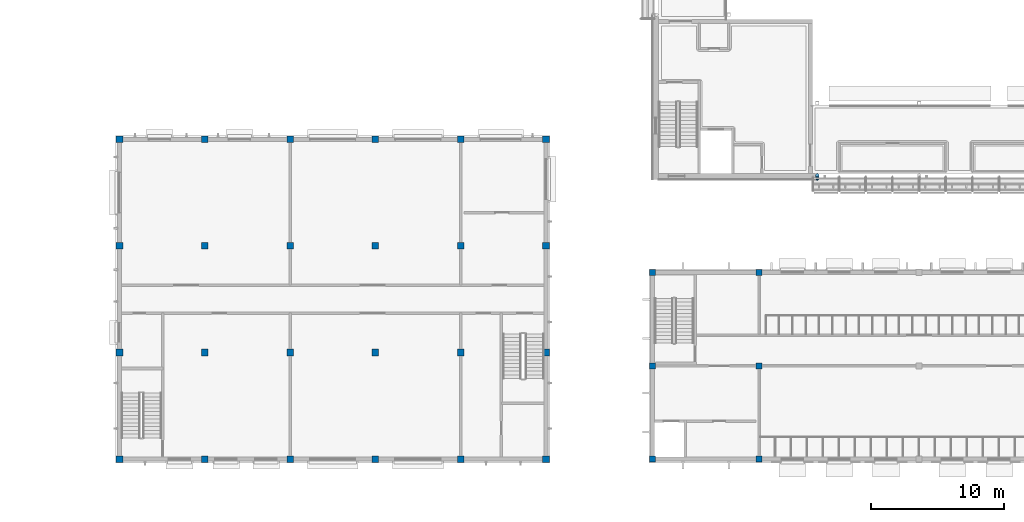
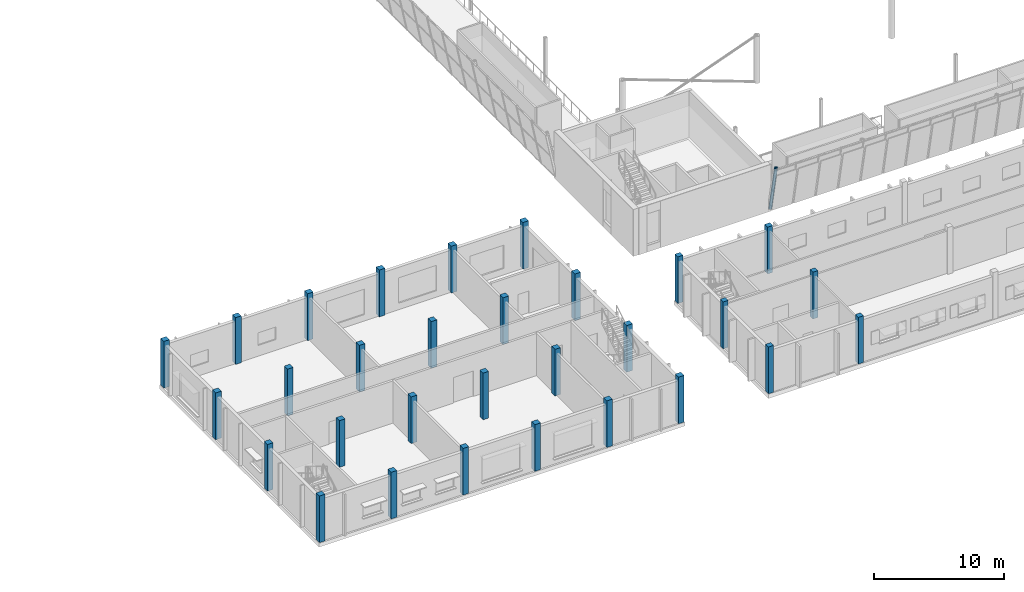
# One storey, part 1 of 115: 31 columns.
"""IFC4 building model written with IfcOpenShell, lengths in metres."""

from ifc_helpers import new_model, si_unit, direction, frame, origin, origin_2d, place, context, subcontext, project, spatial, rectangle, hollow_circle, extrude, material, material_profile, profile_set, type_object, element, save


model = new_model("IFC4")

# Units and contexts
model_context = context("Model", 3, precision=1e-05, world=origin(), true_north=direction((0.0, 1.0)))
body_context = subcontext(model_context, "Body", "Model", "MODEL_VIEW")
ifc_project = project(units=[si_unit("LENGTHUNIT", "METRE"), si_unit("AREAUNIT", "SQUARE_METRE"), si_unit("VOLUMEUNIT", "CUBIC_METRE"), si_unit("PLANEANGLEUNIT", "RADIAN"), si_unit("MASSUNIT", "GRAM", prefix="KILO")], contexts=[model_context])

# Site, building, storey
site_placement = place(None, origin())
site = spatial("IfcSite", under=ifc_project, at=site_placement, CompositionType="ELEMENT")
building_placement = place(site_placement, origin())
building = spatial("IfcBuilding", under=site, at=building_placement, Name="Windward Yard Aquatics Centre", CompositionType="ELEMENT")
storey_placement = place(building_placement, frame((0.0, 0.0, 5.0)))
storey = spatial("IfcBuildingStorey", under=building, at=storey_placement, Name="L01", CompositionType="ELEMENT", Elevation=5.0)

# Columns
ifc_material_1 = material(Name="Concrete C35/45", Category="concrete")
ifc_material_profile_1 = material_profile(ifc_material_1, rectangle(XDim=0.449951171875, YDim=0.449951171875, at=origin_2d()), Name="RC 450X450")
ifc_profile_set_1 = profile_set([ifc_material_profile_1], Name="Concrete C35/45")
column_type_1 = type_object("IfcColumnType", Name="C column RC 450X450", PredefinedType="COLUMN", material=ifc_profile_set_1)
for number, where, z_axis, x_axis, name in (
    (1, (52.0, 5.0, 0.0), (0.0, 0.0, 1.0), (1.0, 0.0, 0.0), "C.COL.L01.1.1"),
    (2, (52.0, 12.0, 0.0), (0.0, 0.0, 1.0), (1.0, 0.0, 0.0), "C.COL.L01.1.2"),
    (3, (52.0, 19.0, 0.0), (0.0, 0.0, 1.0), (1.0, 0.0, 0.0), "C.COL.L01.1.3"),
    (4, (60.0, 5.0, 0.0), (0.0, 0.0, 1.0), (1.0, 0.0, 0.0), "C.COL.L01.2.1"),
    (5, (60.0, 12.0, 0.0), (0.0, 0.0, 1.0), (1.0, 0.0, 0.0), "C.COL.L01.2.2"),
    (6, (60.0, 19.0, 0.0), (0.0, 0.0, 1.0), (1.0, 0.0, 0.0), "C.COL.L01.2.3"),
):
    element("IfcColumn", number, at=place(storey_placement, frame(where, z_axis=z_axis, x_axis=x_axis)), inside=storey, type_object=column_type_1, Name=name, PredefinedType="COLUMN", context=body_context, shape_type="SweptSolid", body=[
        extrude(rectangle(XDim=0.449951171875, YDim=0.449951171875, at=origin_2d()), origin(), (0.0, 0.0, 1.0), 4.39990234375),
    ])
ifc_material_2 = material(Name="Steel ASTM A500 Gr C", Category="steel")
ifc_material_profile_2 = material_profile(ifc_material_2, hollow_circle(Radius=0.136474609375, WallThickness=0.0126953125, at=origin_2d()), Name="HSS273.1X12.7")
ifc_profile_set_2 = profile_set([ifc_material_profile_2], Name="Steel ASTM A500 Gr C")
column_type_2 = type_object("IfcColumnType", Name="H tier 1 leg HSS273.1X12.7", PredefinedType="COLUMN", material=ifc_profile_set_2)
column_placement = place(storey_placement, frame((64.35009765625, 26.29443359375, 0.02734375), z_axis=(0.0, -0.19937683017, 0.979922894717), x_axis=(1.0, 0.0, 0.0)))
element("IfcColumn", 7, at=column_placement, inside=storey, type_object=column_type_2, Name="H.TL.S1.T1A.L01", PredefinedType="COLUMN", context=body_context, shape_type="SweptSolid", body=[
    extrude(hollow_circle(Radius=0.136474609375, WallThickness=0.0126953125, at=origin_2d()), origin(), (0.0, 0.0, 1.0), 4.462158203125),
])
ifc_material_profile_3 = material_profile(ifc_material_1, rectangle(XDim=0.5, YDim=0.5, at=origin_2d()), Name="RC 500X500")
ifc_profile_set_3 = profile_set([ifc_material_profile_3], Name="Concrete C35/45")
column_type_3 = type_object("IfcColumnType", Name="P column RC 500X500", PredefinedType="COLUMN", material=ifc_profile_set_3)
for number, where, z_axis, x_axis, name in (
    (8, (12.0, 5.0, 0.0), (0.0, 0.0, 1.0), (1.0, 0.0, 0.0), "P.COL.L01.1.1"),
    (9, (12.0, 13.0, 0.0), (0.0, 0.0, 1.0), (1.0, 0.0, 0.0), "P.COL.L01.1.2"),
    (10, (12.0, 21.0, 0.0), (0.0, 0.0, 1.0), (1.0, 0.0, 0.0), "P.COL.L01.1.3"),
    (11, (12.0, 29.0, 0.0), (0.0, 0.0, 1.0), (1.0, 0.0, 0.0), "P.COL.L01.1.4"),
    (12, (18.39990234375, 5.0, 0.0), (0.0, 0.0, 1.0), (1.0, 0.0, 0.0), "P.COL.L01.2.1"),
    (13, (18.39990234375, 13.0, 0.0), (0.0, 0.0, 1.0), (1.0, 0.0, 0.0), "P.COL.L01.2.2"),
    (14, (18.39990234375, 21.0, 0.0), (0.0, 0.0, 1.0), (1.0, 0.0, 0.0), "P.COL.L01.2.3"),
    (15, (18.39990234375, 29.0, 0.0), (0.0, 0.0, 1.0), (1.0, 0.0, 0.0), "P.COL.L01.2.4"),
    (16, (24.800048828125, 5.0, 0.0), (0.0, 0.0, 1.0), (1.0, 0.0, 0.0), "P.COL.L01.3.1"),
    (17, (24.800048828125, 13.0, 0.0), (0.0, 0.0, 1.0), (1.0, 0.0, 0.0), "P.COL.L01.3.2"),
    (18, (24.800048828125, 21.0, 0.0), (0.0, 0.0, 1.0), (1.0, 0.0, 0.0), "P.COL.L01.3.3"),
    (19, (24.800048828125, 29.0, 0.0), (0.0, 0.0, 1.0), (1.0, 0.0, 0.0), "P.COL.L01.3.4"),
    (20, (31.199951171875, 5.0, 0.0), (0.0, 0.0, 1.0), (1.0, 0.0, 0.0), "P.COL.L01.4.1"),
    (21, (31.199951171875, 13.0, 0.0), (0.0, 0.0, 1.0), (1.0, 0.0, 0.0), "P.COL.L01.4.2"),
    (22, (31.199951171875, 21.0, 0.0), (0.0, 0.0, 1.0), (1.0, 0.0, 0.0), "P.COL.L01.4.3"),
    (23, (31.199951171875, 29.0, 0.0), (0.0, 0.0, 1.0), (1.0, 0.0, 0.0), "P.COL.L01.4.4"),
    (24, (37.60009765625, 5.0, 0.0), (0.0, 0.0, 1.0), (1.0, 0.0, 0.0), "P.COL.L01.5.1"),
    (25, (37.60009765625, 13.0, 0.0), (0.0, 0.0, 1.0), (1.0, 0.0, 0.0), "P.COL.L01.5.2"),
    (26, (37.60009765625, 21.0, 0.0), (0.0, 0.0, 1.0), (1.0, 0.0, 0.0), "P.COL.L01.5.3"),
    (27, (37.60009765625, 29.0, 0.0), (0.0, 0.0, 1.0), (1.0, 0.0, 0.0), "P.COL.L01.5.4"),
    (28, (44.0, 5.0, 0.0), (0.0, 0.0, 1.0), (1.0, 0.0, 0.0), "P.COL.L01.6.1"),
    (29, (44.0, 13.0, 0.0), (0.0, 0.0, 1.0), (1.0, 0.0, 0.0), "P.COL.L01.6.2"),
    (30, (44.0, 21.0, 0.0), (0.0, 0.0, 1.0), (1.0, 0.0, 0.0), "P.COL.L01.6.3"),
    (31, (44.0, 29.0, 0.0), (0.0, 0.0, 1.0), (1.0, 0.0, 0.0), "P.COL.L01.6.4"),
):
    element("IfcColumn", number, at=place(storey_placement, frame(where, z_axis=z_axis, x_axis=x_axis)), inside=storey, type_object=column_type_3, Name=name, PredefinedType="COLUMN", context=body_context, shape_type="SweptSolid", body=[
        extrude(rectangle(XDim=0.5, YDim=0.5, at=origin_2d()), origin(), (0.0, 0.0, 1.0), 4.39990234375),
    ])

save(model, "model.ifc")
